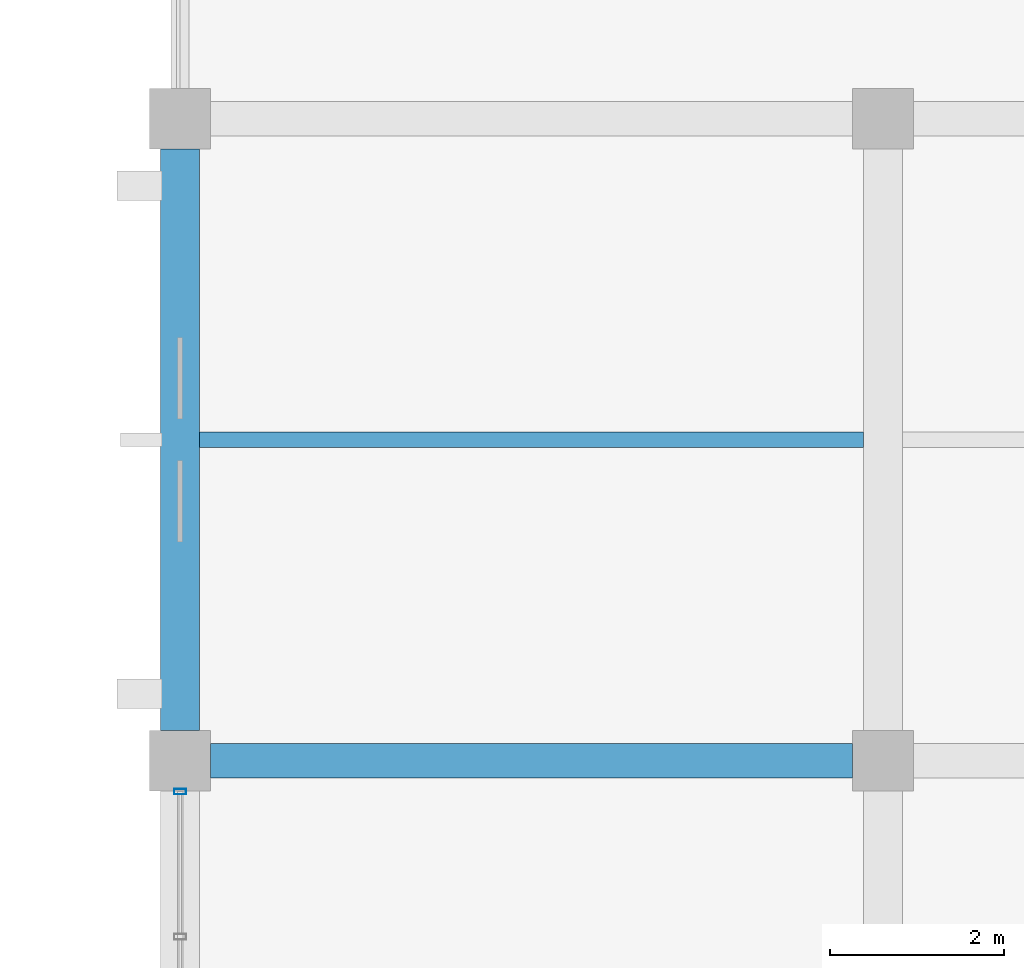
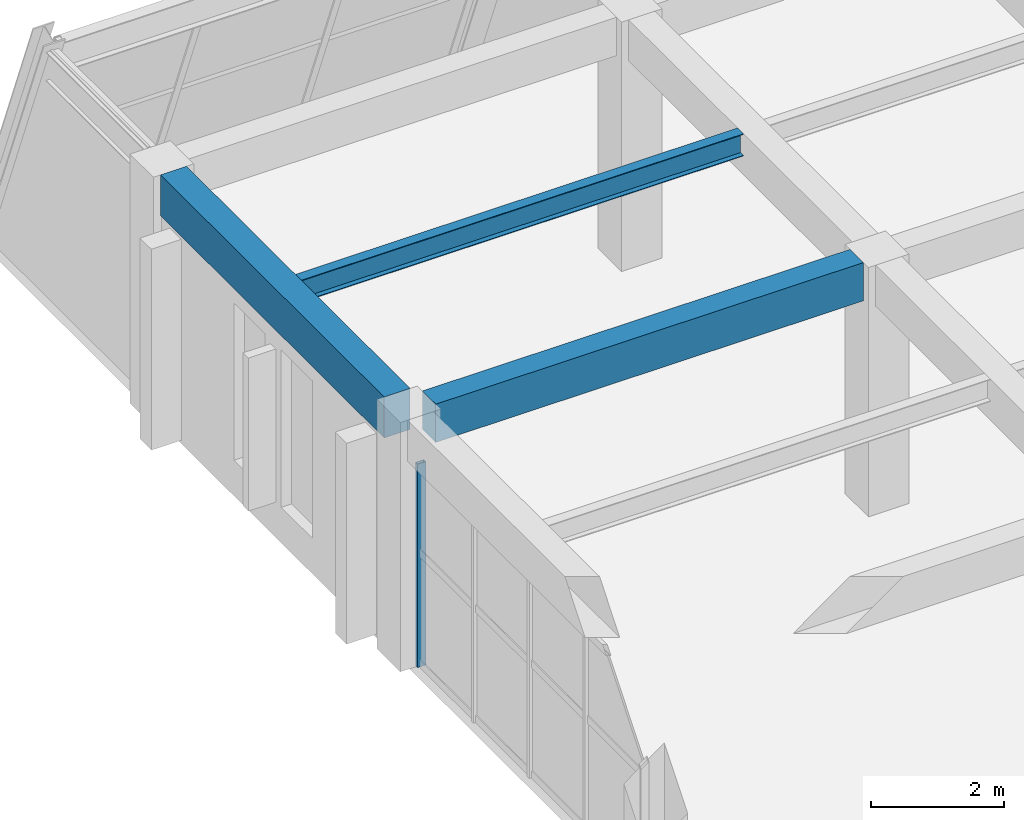
# One storey, part 78 of 161: 3 beams, 1 member, 1 element without a shape of its own.
"""IFC4 building model written with IfcOpenShell, lengths in metres."""

from ifc_helpers import new_model, si_unit, direction, frame, origin, origin_2d, place, context, subcontext, project, spatial, rectangle, hollow_rectangle, i_section, extrude, material, material_profile, profile_set, type_object, element, aggregate, save


model = new_model("IFC4")

# Units and contexts
model_context = context("Model", 3, precision=1e-05, world=origin(), true_north=direction((0.0, 1.0)))
body_context = subcontext(model_context, "Body", "Model", "MODEL_VIEW")
ifc_project = project(units=[si_unit("LENGTHUNIT", "METRE"), si_unit("AREAUNIT", "SQUARE_METRE"), si_unit("VOLUMEUNIT", "CUBIC_METRE"), si_unit("PLANEANGLEUNIT", "RADIAN"), si_unit("MASSUNIT", "GRAM", prefix="KILO")], contexts=[model_context])

# Site, building, storey
site_placement = place(None, origin())
site = spatial("IfcSite", under=ifc_project, at=site_placement, CompositionType="ELEMENT")
building_placement = place(site_placement, origin())
building = spatial("IfcBuilding", under=site, at=building_placement, Name="Cimatlan Art Gallery", CompositionType="ELEMENT")
storey_placement = place(building_placement, frame((0.0, 0.0, 5.39990234375)))
storey = spatial("IfcBuildingStorey", under=building, at=storey_placement, Name="L01", CompositionType="ELEMENT", Elevation=5.39990234375)

# Beams
ifc_material_1 = material(Name="Concrete C40/50", Category="concrete")
ifc_material_profile_1 = material_profile(ifc_material_1, rectangle(XDim=0.39990234375, YDim=0.699951171875, at=origin_2d()), Name="RC400X700")
ifc_profile_set_1 = profile_set([ifc_material_profile_1], Name="Concrete C40/50")
beam_type_1 = type_object("IfcBeamType", Name="BM-RC-400X700", PredefinedType="BEAM", material=ifc_profile_set_1)
beam_1_placement = place(storey_placement, frame((34.75, 90.5, 4.210205078125), z_axis=(1.0, 0.0, 0.0), x_axis=(0.0, 1.0, 0.0)))
element("IfcBeam", 1, at=beam_1_placement, inside=storey, type_object=beam_type_1, Name="BM-X-L01-04-12", PredefinedType="BEAM", context=body_context, shape_type="SweptSolid", body=[
    extrude(rectangle(XDim=0.39990234375, YDim=0.699951171875, at=origin_2d()), origin(), (0.0, 0.0, 1.0), 7.39990234375),
])
ifc_material_profile_2 = material_profile(ifc_material_1, rectangle(XDim=0.449951171875, YDim=0.75, at=origin_2d()), Name="RC450X750")
ifc_profile_set_2 = profile_set([ifc_material_profile_2], Name="Concrete C40/50")
beam_type_2 = type_object("IfcBeamType", Name="BM-RC-450X750", PredefinedType="BEAM", material=ifc_profile_set_2)
beam_2_placement = place(storey_placement, frame((34.39990234375, 90.85009765625, 4.18505859375), z_axis=(0.0, 1.0, 0.0), x_axis=(-1.0, 0.0, 0.0)))
element("IfcBeam", 2, at=beam_2_placement, inside=storey, type_object=beam_type_2, Name="BM-Y-L01-04-12", PredefinedType="BEAM", context=body_context, shape_type="SweptSolid", body=[
    extrude(rectangle(XDim=0.449951171875, YDim=0.75, at=origin_2d()), origin(), (0.0, 0.0, 1.0), 6.699951171875),
])
ifc_material_2 = material(Name="Steel ASTM A992 Grade 50", Category="steel")
ifc_material_profile_3 = material_profile(ifc_material_2, i_section(OverallWidth=0.177978515625, OverallDepth=0.406982421875, WebThickness=0.0078125, FlangeThickness=0.0126953125, at=origin_2d()), Name="W16X40")
ifc_profile_set_3 = profile_set([ifc_material_profile_3], Name="Steel ASTM A992 Grade 50")
beam_type_3 = type_object("IfcBeamType", Name="BM-STL-W16X40", PredefinedType="JOIST", material=ifc_profile_set_3)
beam_3_placement = place(storey_placement, frame((34.625, 94.199951171875, 4.356689453125), z_axis=(1.0, 0.0, 0.0), x_axis=(0.0, 1.0, 0.0)))
element("IfcBeam", 3, at=beam_3_placement, inside=storey, type_object=beam_type_3, Name="JST-L01-04-12", PredefinedType="JOIST", context=body_context, shape_type="SweptSolid", body=[
    extrude(i_section(OverallWidth=0.177978515625, OverallDepth=0.406982421875, WebThickness=0.0078125, FlangeThickness=0.0126953125, at=origin_2d()), origin(), (0.0, 0.0, 1.0), 7.64990234375),
])

# Curtain wall, member
ifc_material_3 = material(Name="Anodised bronze unitised curtain wall")
curtain_wall_type = type_object("IfcCurtainWallType", Name="CW-V-06692X03720-B4", PredefinedType="NOTDEFINED", material=ifc_material_3)
curtain_wall_placement = place(storey_placement, origin())
curtain_wall = element("IfcCurtainWall", 4, at=curtain_wall_placement, inside=storey, type_object=curtain_wall_type, Name="CW-L01-04-11-W", PredefinedType="NOTDEFINED")
ifc_material_4 = material(Name="Anodised bronze aluminium 6063-T6", Category="aluminium")
ifc_material_profile_4 = material_profile(ifc_material_4, hollow_rectangle(XDim=0.06494140625, YDim=0.139892578125, WallThickness=0.00390625, at=origin_2d()), Name="ALU65X140X4")
ifc_profile_set_4 = profile_set([ifc_material_profile_4], Name="Anodised bronze aluminium 6063-T6")
member_type = type_object("IfcMemberType", Name="CW-MUL-140", PredefinedType="MULLION", material=ifc_profile_set_4)
member_placement = place(storey_placement, frame((34.39990234375, 90.14599609375, 0.0), z_axis=(0.0, 0.0, 1.0), x_axis=(0.0, 1.0, 0.0)))
member = element("IfcMember", 5, at=member_placement, type_object=member_type, Name="CW-L01-04-11-W-M5", PredefinedType="MULLION", context=body_context, shape_type="SweptSolid", body=[
    extrude(hollow_rectangle(XDim=0.06494140625, YDim=0.139892578125, WallThickness=0.00390625, at=origin_2d()), origin(), (0.0, 0.0, 1.0), 3.72021484375),
])
aggregate(curtain_wall, [member])

save(model, "model.ifc")
